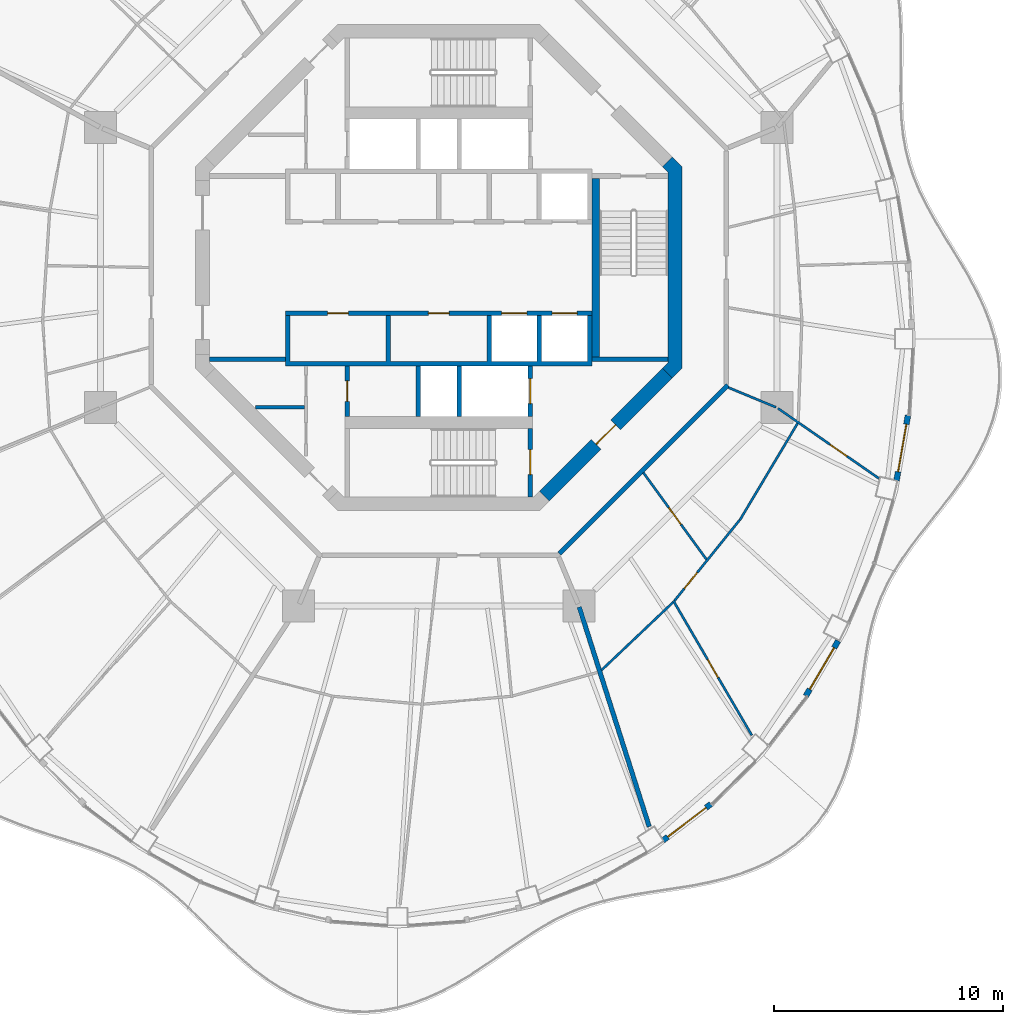
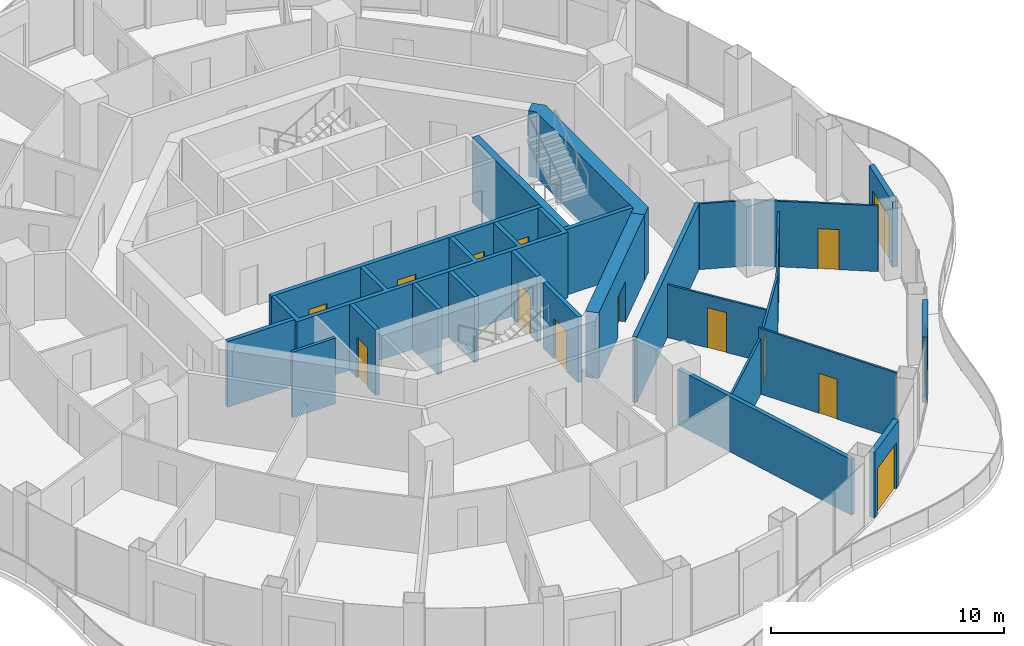
# One storey, part 11 of 17: 25 walls, 15 doors, 15 openings.
"""IFC4 building model written with IfcOpenShell, lengths in metres."""

from ifc_helpers import new_model, si_unit, direction, frame, frame_2d, origin, place, context, subcontext, project, spatial, polyline, rectangle, outline, extrude, material, layer, layer_set, type_object, element, fill, save


model = new_model("IFC4")

# Units and contexts
model_context = context("Model", 3, precision=1e-05, world=origin(), true_north=direction((0.0, 1.0)))
body_context = subcontext(model_context, "Body", "Model", "MODEL_VIEW")
ifc_project = project(units=[si_unit("LENGTHUNIT", "METRE"), si_unit("AREAUNIT", "SQUARE_METRE"), si_unit("VOLUMEUNIT", "CUBIC_METRE"), si_unit("PLANEANGLEUNIT", "RADIAN"), si_unit("MASSUNIT", "GRAM", prefix="KILO")], contexts=[model_context])

# Site, building, storey
site_placement = place(None, origin())
site = spatial("IfcSite", under=ifc_project, at=site_placement, CompositionType="ELEMENT")
building_placement = place(site_placement, origin())
building = spatial("IfcBuilding", under=site, at=building_placement, Name="Nagisa Residences", CompositionType="ELEMENT")
storey_placement = place(building_placement, frame((0.0, 0.0, 273.300048828125)))
storey = spatial("IfcBuildingStorey", under=building, at=storey_placement, Name="L69", CompositionType="ELEMENT", Elevation=273.300048828125)

# Walls
ifc_material_1 = material(Name="Gypsum board on steel studs", Category="steel")
ifc_layer_1 = layer(ifc_material_1, 0.199951171875)
ifc_layer_set_1 = layer_set([ifc_layer_1], Name="Apartment compartment wall EI60 200")
wall_type_1 = type_object("IfcWallType", Name="Apartment compartment wall EI60 200", PredefinedType="PARTITIONING", material=ifc_layer_set_1)
wall_1_placement = place(storey_placement, frame((6.13818359375, -14.82958984375, 0.0), z_axis=(0.0, 0.0, 1.0), x_axis=(0.303653679037, -0.952782474234, 0.0)))
element("IfcWall", 1, at=wall_1_placement, inside=storey, type_object=wall_type_1, Name="wall:L69:u09", PredefinedType="PARTITIONING", context=body_context, shape_type="SweptSolid", body=[
    extrude(rectangle(XDim=10.075927734375, YDim=0.199951171875, at=frame_2d((5.0380859375, 0.0))), origin(), (0.0, 0.0, 1.0), 2.905029296875),
])
ifc_material_2 = material(Name="Gypsum board on steel studs", Category="steel")
ifc_layer_2 = layer(ifc_material_2, 0.199951171875)
ifc_layer_set_2 = layer_set([ifc_layer_2], Name="Apartment entry wall EI60 200")
wall_type_2 = type_object("IfcWallType", Name="Apartment entry wall EI60 200", PredefinedType="PARTITIONING", material=ifc_layer_set_2)
wall_2_placement = place(storey_placement, frame((5.275146484375, -12.494140625, 0.0), z_axis=(0.0, 0.0, 1.0), x_axis=(0.707106781187, 0.707106781187, 0.0)))
element("IfcWall", 2, at=wall_2_placement, inside=storey, type_object=wall_type_2, Name="wall:L69:u17", PredefinedType="PARTITIONING", context=body_context, shape_type="SweptSolid", body=[
    extrude(rectangle(XDim=10.4091796875, YDim=0.199951171875, at=frame_2d((5.20458984375, 0.0))), origin(), (0.0, 0.0, 1.0), 3.43994140625),
])
ifc_material_3 = material(Name="Gypsum board on steel studs", Category="steel")
ifc_layer_3 = layer(ifc_material_3, 0.10009765625)
ifc_layer_set_3 = layer_set([ifc_layer_3], Name="Apartment partition 100")
wall_type_3 = type_object("IfcWallType", Name="Apartment partition 100", PredefinedType="PARTITIONING", material=ifc_layer_set_3)
wall_3_placement = place(storey_placement, frame((7.113037109375, -17.592041015625, 0.0), z_axis=(0.0, 0.0, 1.0), x_axis=(0.725433932329, 0.688291805723, 0.0)))
element("IfcWall", 3, at=wall_3_placement, inside=storey, type_object=wall_type_3, Name="wall:L69:u60", PredefinedType="PARTITIONING", context=body_context, shape_type="SweptSolid", body=[
    extrude(rectangle(XDim=4.305419921875, YDim=0.10009765625, at=frame_2d((2.15283203125, 0.0))), origin(), (0.0, 0.0, 1.0), 2.905029296875),
])

# Wall, opening, door
wall_4_placement = place(storey_placement, frame((10.24755859375, -14.551025390625, 0.0), z_axis=(0.0, 0.0, 1.0), x_axis=(0.503826483408, -0.86380488226, 0.0)))
wall_4 = element("IfcWall", 4, at=wall_4_placement, inside=storey, type_object=wall_type_3, Name="wall:L69:u61", PredefinedType="PARTITIONING", context=body_context, shape_type="SweptSolid", body=[
    extrude(rectangle(XDim=6.81591796875, YDim=0.10009765625, at=frame_2d((3.407958984375, 0.0))), origin(), (0.0, 0.0, 1.0), 3.43994140625),
])
opening_1_placement = place(wall_4_placement, frame((2.98291015625, 0.0, 0.0)))
opening_1 = element("IfcOpeningElement", 5, at=opening_1_placement, cuts=wall_4, Name="Opening L69-U39", PredefinedType="OPENING", context=body_context, shape_type="SweptSolid", body=[
    extrude(rectangle(XDim=0.89990234375, YDim=2.10009765625, at=frame_2d((0.449951171875, 1.050048828125))), frame((0.0, 0.06005859375, 0.0), z_axis=(0.0, -1.0, 0.0), x_axis=(1.0, 0.0, 0.0)), (0.0, 0.0, 1.0), 0.1201171875),
])
ifc_material_4 = material(Name="Timber door set", Category="wood")
door_type_1 = type_object("IfcDoorType", Name="Apartment door 900x2100", OperationType="NOTDEFINED", PredefinedType="DOOR", material=ifc_material_4)
door_1_placement = place(opening_1_placement, frame((0.89990234375, 0.0, 0.0), x_axis=(-1.0, 0.0, 0.0)))
door_1 = element("IfcDoor", 6, at=door_1_placement, inside=storey, type_object=door_type_1, Name="Door to master bedroom, Apartment 69E", OperationType="SINGLE_SWING_RIGHT", OverallHeight=2.10009765625, OverallWidth=0.89990234375, PredefinedType="DOOR", context=body_context, shape_type="SweptSolid", body=[
    extrude(rectangle(XDim=0.89990234375, YDim=2.10009765625, at=frame_2d((0.449951171875, 1.050048828125))), frame((0.0, 0.02490234375, 0.0), z_axis=(0.0, -1.0, 0.0), x_axis=(1.0, 0.0, 0.0)), (0.0, 0.0, 1.0), 0.050048828125),
])
fill(opening_1, door_1)

wall_5_placement = place(storey_placement, frame((10.303955078125, -14.555419921875, 0.0), z_axis=(0.0, 0.0, 1.0), x_axis=(0.628170338674, 0.778075848237, 0.0)))
wall_5 = element("IfcWall", 7, at=wall_5_placement, inside=storey, type_object=wall_type_3, Name="wall:L69:u62", PredefinedType="PARTITIONING", context=body_context, shape_type="SweptSolid", body=[
    extrude(rectangle(XDim=4.532470703125, YDim=0.10009765625, at=frame_2d((2.26611328125, 0.0))), origin(), (0.0, 0.0, 1.0), 2.905029296875),
])
opening_2_placement = place(wall_5_placement, frame((0.68310546875, 0.0, 0.0)))
opening_2 = element("IfcOpeningElement", 8, at=opening_2_placement, cuts=wall_5, Name="Opening L69-U37", PredefinedType="OPENING", context=body_context, shape_type="SweptSolid", body=[
    extrude(rectangle(XDim=0.89990234375, YDim=2.10009765625, at=frame_2d((0.449951171875, 1.050048828125))), frame((0.0, 0.06005859375, 0.0), z_axis=(0.0, -1.0, 0.0), x_axis=(1.0, 0.0, 0.0)), (0.0, 0.0, 1.0), 0.1201171875),
])
door_2_placement = place(opening_2_placement, origin())
door_2 = element("IfcDoor", 9, at=door_2_placement, inside=storey, type_object=door_type_1, Name="Door to laundry, Apartment 69E", OperationType="SINGLE_SWING_LEFT", OverallHeight=2.10009765625, OverallWidth=0.89990234375, PredefinedType="DOOR", context=body_context, shape_type="SweptSolid", body=[
    extrude(rectangle(XDim=0.89990234375, YDim=2.10009765625, at=frame_2d((0.449951171875, 1.050048828125))), frame((0.0, 0.02490234375, 0.0), z_axis=(0.0, -1.0, 0.0), x_axis=(1.0, 0.0, 0.0)), (0.0, 0.0, 1.0), 0.050048828125),
])
fill(opening_2, door_2)

wall_6_placement = place(storey_placement, frame((8.943359375, -8.965576171875, 0.0), z_axis=(0.0, 0.0, 1.0), x_axis=(0.588357698232, -0.808600778463, 0.0)))
wall_6 = element("IfcWall", 10, at=wall_6_placement, inside=storey, type_object=wall_type_3, Name="wall:L69:u63", PredefinedType="PARTITIONING", context=body_context, shape_type="SweptSolid", body=[
    extrude(rectangle(XDim=4.682373046875, YDim=0.10009765625, at=frame_2d((2.34130859375, 0.0))), origin(), (0.0, 0.0, 1.0), 2.761962890625),
])
opening_3_placement = place(wall_6_placement, frame((1.89111328125, 0.0, 0.0)))
opening_3 = element("IfcOpeningElement", 11, at=opening_3_placement, cuts=wall_6, Name="Opening L69-U38", PredefinedType="OPENING", context=body_context, shape_type="SweptSolid", body=[
    extrude(rectangle(XDim=0.89990234375, YDim=2.10009765625, at=frame_2d((0.449951171875, 1.050048828125))), frame((0.0, 0.06005859375, 0.0), z_axis=(0.0, -1.0, 0.0), x_axis=(1.0, 0.0, 0.0)), (0.0, 0.0, 1.0), 0.1201171875),
])
door_3_placement = place(opening_3_placement, origin())
door_3 = element("IfcDoor", 12, at=door_3_placement, inside=storey, type_object=door_type_1, Name="Door to store, Apartment 69E", OperationType="SINGLE_SWING_RIGHT", OverallHeight=2.10009765625, OverallWidth=0.89990234375, PredefinedType="DOOR", context=body_context, shape_type="SweptSolid", body=[
    extrude(rectangle(XDim=0.89990234375, YDim=2.10009765625, at=frame_2d((0.449951171875, 1.050048828125))), frame((0.0, 0.02490234375, 0.0), z_axis=(0.0, -1.0, 0.0), x_axis=(1.0, 0.0, 0.0)), (0.0, 0.0, 1.0), 0.050048828125),
])
fill(opening_3, door_3)

# Walls
wall_7_placement = place(storey_placement, frame((13.156982421875, -11.03271484375, 0.0), z_axis=(0.0, 0.0, 1.0), x_axis=(0.512736548388, 0.858545998737, 0.0)))
element("IfcWall", 13, at=wall_7_placement, inside=storey, type_object=wall_type_3, Name="wall:L69:u64", PredefinedType="PARTITIONING", context=body_context, shape_type="SweptSolid", body=[
    extrude(rectangle(XDim=4.921630859375, YDim=0.10009765625, at=frame_2d((2.4609375, 0.0))), origin(), (0.0, 0.0, 1.0), 2.905029296875),
])
wall_8_placement = place(storey_placement, frame((12.6572265625, -5.24267578125, 0.0), z_axis=(0.0, 0.0, 1.0), x_axis=(0.923864733477, -0.382719158442, 0.0)))
element("IfcWall", 14, at=wall_8_placement, inside=storey, type_object=wall_type_3, Name="wall:L69:u65", PredefinedType="PARTITIONING", context=body_context, shape_type="SweptSolid", body=[
    extrude(rectangle(XDim=2.25, YDim=0.10009765625, at=frame_2d((1.125, 0.0))), origin(), (0.0, 0.0, 1.0), 3.43994140625),
])

# Wall, opening, door
wall_9_placement = place(storey_placement, frame((14.8232421875, -6.1513671875, 0.0), z_axis=(0.0, 0.0, 1.0), x_axis=(0.821435065081, -0.570302054928, 0.0)))
wall_9 = element("IfcWall", 15, at=wall_9_placement, inside=storey, type_object=wall_type_3, Name="wall:L69:u66", PredefinedType="PARTITIONING", context=body_context, shape_type="SweptSolid", body=[
    extrude(rectangle(XDim=5.3681640625, YDim=0.10009765625, at=frame_2d((2.68408203125, 0.0))), origin(), (0.0, 0.0, 1.0), 3.43994140625),
])
opening_4_placement = place(wall_9_placement, frame((2.771484375, 0.0, 0.0)))
opening_4 = element("IfcOpeningElement", 16, at=opening_4_placement, cuts=wall_9, Name="Opening L69-U36", PredefinedType="OPENING", context=body_context, shape_type="SweptSolid", body=[
    extrude(rectangle(XDim=0.89990234375, YDim=2.10009765625, at=frame_2d((0.449951171875, 1.050048828125))), frame((0.0, 0.06005859375, 0.0), z_axis=(0.0, -1.0, 0.0), x_axis=(1.0, 0.0, 0.0)), (0.0, 0.0, 1.0), 0.1201171875),
])
door_4_placement = place(opening_4_placement, frame((0.89990234375, 0.0, 0.0), x_axis=(-1.0, 0.0, 0.0)))
door_4 = element("IfcDoor", 17, at=door_4_placement, inside=storey, type_object=door_type_1, Name="Door to living room, Apartment 69E", OperationType="SINGLE_SWING_LEFT", OverallHeight=2.10009765625, OverallWidth=0.89990234375, PredefinedType="DOOR", context=body_context, shape_type="SweptSolid", body=[
    extrude(rectangle(XDim=0.89990234375, YDim=2.10009765625, at=frame_2d((0.449951171875, 1.050048828125))), frame((0.0, 0.02490234375, 0.0), z_axis=(0.0, -1.0, 0.0), x_axis=(1.0, 0.0, 0.0)), (0.0, 0.0, 1.0), 0.050048828125),
])
fill(opening_4, door_4)

ifc_material_5 = material(Name="Precast concrete C40/50", Category="concrete")
ifc_layer_4 = layer(ifc_material_5, 0.25)
ifc_layer_set_4 = layer_set([ifc_layer_4], Name="BALCONY DOOR WALL 250")
wall_type_4 = type_object("IfcWallType", Name="BALCONY DOOR WALL 250", PredefinedType="SOLIDWALL", material=ifc_layer_set_4)
wall_10_placement = place(storey_placement, frame((11.89453125, -23.439208984375, 0.0), z_axis=(0.0, 0.0, 1.0), x_axis=(-0.796055284084, -0.605223912847, 0.0)))
wall_10 = element("IfcWall", 18, at=wall_10_placement, inside=storey, type_object=wall_type_4, Name="wall:L69:bay40", PredefinedType="SOLIDWALL", context=body_context, shape_type="SweptSolid", body=[
    extrude(rectangle(XDim=2.640625, YDim=0.25, at=frame_2d((1.3203125, 0.0))), origin(), (0.0, 0.0, 1.0), 3.43994140625),
])
opening_5_placement = place(wall_10_placement, frame((0.270263671875, 0.0, 0.0)))
opening_5 = element("IfcOpeningElement", 19, at=opening_5_placement, cuts=wall_10, Name="Opening BD-L69-14", PredefinedType="OPENING", context=body_context, shape_type="SweptSolid", body=[
    extrude(rectangle(XDim=2.10009765625, YDim=2.39990234375, at=frame_2d((1.050048828125, 1.199951171875))), frame((0.0, 0.135009765625, 0.0), z_axis=(0.0, -1.0, 0.0), x_axis=(1.0, 0.0, 0.0)), (0.0, 0.0, 1.0), 0.27001953125),
])
ifc_material_6 = material(Name="Aluminium and clear glass", Category="aluminium")
door_type_2 = type_object("IfcDoorType", Name="BALCONY SLIDING DOOR 2100x2400", OperationType="SLIDING_TO_LEFT", PredefinedType="DOOR", material=ifc_material_6)
door_5_placement = place(opening_5_placement, origin())
door_5 = element("IfcDoor", 20, at=door_5_placement, inside=storey, type_object=door_type_2, Name="door:L69:bay40", OperationType="SLIDING_TO_LEFT", OverallHeight=2.39990234375, OverallWidth=2.10009765625, PredefinedType="DOOR", context=body_context, shape_type="SweptSolid", body=[
    extrude(rectangle(XDim=2.10009765625, YDim=2.39990234375, at=frame_2d((1.050048828125, 1.199951171875))), frame((0.0, 0.02490234375, 0.0), z_axis=(0.0, -1.0, 0.0), x_axis=(1.0, 0.0, 0.0)), (0.0, 0.0, 1.0), 0.050048828125),
])
fill(opening_5, door_5)

wall_11_placement = place(storey_placement, frame((17.453857421875, -16.3125, 0.0), z_axis=(0.0, 0.0, 1.0), x_axis=(-0.506371364425, -0.862315511452, 0.0)))
wall_11 = element("IfcWall", 21, at=wall_11_placement, inside=storey, type_object=wall_type_4, Name="wall:L69:bay43", PredefinedType="SOLIDWALL", context=body_context, shape_type="SweptSolid", body=[
    extrude(rectangle(XDim=2.79638671875, YDim=0.25, at=frame_2d((1.398193359375, 0.0))), origin(), (0.0, 0.0, 1.0), 3.43994140625),
])
opening_6_placement = place(wall_11_placement, frame((0.34814453125, 0.0, 0.0)))
opening_6 = element("IfcOpeningElement", 22, at=opening_6_placement, cuts=wall_11, Name="Opening BD-L69-15", PredefinedType="OPENING", context=body_context, shape_type="SweptSolid", body=[
    extrude(rectangle(XDim=2.10009765625, YDim=2.39990234375, at=frame_2d((1.050048828125, 1.199951171875))), frame((0.0, 0.135009765625, 0.0), z_axis=(0.0, -1.0, 0.0), x_axis=(1.0, 0.0, 0.0)), (0.0, 0.0, 1.0), 0.27001953125),
])
door_6_placement = place(opening_6_placement, origin())
door_6 = element("IfcDoor", 23, at=door_6_placement, inside=storey, type_object=door_type_2, Name="door:L69:bay43", OperationType="SLIDING_TO_LEFT", OverallHeight=2.39990234375, OverallWidth=2.10009765625, PredefinedType="DOOR", context=body_context, shape_type="SweptSolid", body=[
    extrude(rectangle(XDim=2.10009765625, YDim=2.39990234375, at=frame_2d((1.050048828125, 1.199951171875))), frame((0.0, 0.02490234375, 0.0), z_axis=(0.0, -1.0, 0.0), x_axis=(1.0, 0.0, 0.0)), (0.0, 0.0, 1.0), 0.050048828125),
])
fill(opening_6, door_6)

wall_12_placement = place(storey_placement, frame((20.50341796875, -6.455810546875, 0.0), z_axis=(0.0, 0.0, 1.0), x_axis=(-0.172182411767, -0.985065082661, 0.0)))
wall_12 = element("IfcWall", 24, at=wall_12_placement, inside=storey, type_object=wall_type_4, Name="wall:L69:bay46", PredefinedType="SOLIDWALL", context=body_context, shape_type="SweptSolid", body=[
    extrude(rectangle(XDim=2.902587890625, YDim=0.25, at=frame_2d((1.451171875, 0.0))), origin(), (0.0, 0.0, 1.0), 3.43994140625),
])
opening_7_placement = place(wall_12_placement, frame((0.401123046875, 0.0, 0.0)))
opening_7 = element("IfcOpeningElement", 25, at=opening_7_placement, cuts=wall_12, Name="Opening BD-L69-16", PredefinedType="OPENING", context=body_context, shape_type="SweptSolid", body=[
    extrude(rectangle(XDim=2.10009765625, YDim=2.39990234375, at=frame_2d((1.050048828125, 1.199951171875))), frame((0.0, 0.135009765625, 0.0), z_axis=(0.0, -1.0, 0.0), x_axis=(1.0, 0.0, 0.0)), (0.0, 0.0, 1.0), 0.27001953125),
])
door_7_placement = place(opening_7_placement, origin())
door_7 = element("IfcDoor", 26, at=door_7_placement, inside=storey, type_object=door_type_2, Name="door:L69:bay46", OperationType="SLIDING_TO_LEFT", OverallHeight=2.39990234375, OverallWidth=2.10009765625, PredefinedType="DOOR", context=body_context, shape_type="SweptSolid", body=[
    extrude(rectangle(XDim=2.10009765625, YDim=2.39990234375, at=frame_2d((1.050048828125, 1.199951171875))), frame((0.0, 0.02490234375, 0.0), z_axis=(0.0, -1.0, 0.0), x_axis=(1.0, 0.0, 0.0)), (0.0, 0.0, 1.0), 0.050048828125),
])
fill(opening_7, door_7)

# Walls
ifc_material_7 = material(Name="Gypsum board on steel studs", Category="steel")
ifc_layer_5 = layer(ifc_material_7, 0.14990234375)
ifc_layer_set_5 = layer_set([ifc_layer_5], Name="Core partition 150")
wall_type_5 = type_object("IfcWallType", Name="Core partition 150", PredefinedType="PARTITIONING", material=ifc_layer_set_5)
wall_13_placement = place(storey_placement, frame((-8.0009765625, -6.10009765625, 0.0), z_axis=(0.0, 0.0, 1.0), x_axis=(1.0, 0.0, 0.0)))
element("IfcWall", 27, at=wall_13_placement, inside=storey, type_object=wall_type_5, Name="wall:L69:SWq", PredefinedType="PARTITIONING", context=body_context, shape_type="SweptSolid", body=[
    extrude(rectangle(XDim=2.1259765625, YDim=0.14990234375, at=frame_2d((1.06298828125, 0.0))), origin(), (0.0, 0.0, 1.0), 3.43994140625),
])
ifc_material_8 = material(Name="Gypsum board on steel studs", Category="steel")
ifc_layer_6 = layer(ifc_material_8, 0.199951171875)
ifc_layer_set_6 = layer_set([ifc_layer_6], Name="Core partition 200")
wall_type_6 = type_object("IfcWallType", Name="Core partition 200", PredefinedType="PARTITIONING", material=ifc_layer_set_6)
wall_14_placement = place(storey_placement, frame((-10.024658203125, -4.0, 0.0), z_axis=(0.0, 0.0, 1.0), x_axis=(1.0, 0.0, 0.0)))
element("IfcWall", 28, at=wall_14_placement, inside=storey, type_object=wall_type_6, Name="wall:L69:PSW", PredefinedType="PARTITIONING", context=body_context, shape_type="SweptSolid", body=[
    extrude(rectangle(XDim=3.32470703125, YDim=0.199951171875, at=frame_2d((1.662353515625, 0.0))), origin(), (0.0, 0.0, 1.0), 3.43994140625),
])

# Wall, opening, door
ifc_material_9 = material(Name="Concrete C60", Category="concrete")
ifc_layer_7 = layer(ifc_material_9, 0.60009765625)
ifc_layer_set_7 = layer_set([ifc_layer_7], Name="Core shear wall 600")
wall_type_7 = type_object("IfcWallType", Name="Core shear wall 600", PredefinedType="SHEAR", material=ifc_layer_set_7)
wall_15_placement = place(storey_placement, frame((4.613037109375, -9.98828125, 0.0), z_axis=(0.0, 0.0, 1.0), x_axis=(0.707106781187, 0.707106781187, 0.0)))
wall_15 = element("IfcWall", 29, at=wall_15_placement, inside=storey, type_object=wall_type_7, Name="wall:L69:core:flat7", PredefinedType="SHEAR", context=body_context, shape_type="SweptSolid", body=[
    extrude(rectangle(XDim=7.601806640625, YDim=0.60009765625, at=frame_2d((3.80078125, 0.0))), origin(), (0.0, 0.0, 1.0), 3.43994140625),
])
opening_8_placement = place(wall_15_placement, frame((3.200927734375, 0.0, 0.0)))
opening_8 = element("IfcOpeningElement", 30, at=opening_8_placement, cuts=wall_15, Name="Opening L69-C22", PredefinedType="OPENING", context=body_context, shape_type="SweptSolid", body=[
    extrude(rectangle(XDim=1.199951171875, YDim=2.10009765625, at=frame_2d((0.60009765625, 1.050048828125))), frame((0.0, 0.31005859375, 0.0), z_axis=(0.0, -1.0, 0.0), x_axis=(1.0, 0.0, 0.0)), (0.0, 0.0, 1.0), 0.6201171875),
])
ifc_material_10 = material(Name="Steel fire door", Category="steel")
door_type_3 = type_object("IfcDoorType", Name="Fire door EI60 1200x2100 single swing", OperationType="NOTDEFINED", PredefinedType="DOOR", material=ifc_material_10)
door_8_placement = place(opening_8_placement, origin())
door_8 = element("IfcDoor", 31, at=door_8_placement, inside=storey, type_object=door_type_3, Name="Firefighting lobby 2 door L69", OperationType="SINGLE_SWING_RIGHT", OverallHeight=2.10009765625, OverallWidth=1.199951171875, PredefinedType="DOOR", context=body_context, shape_type="SweptSolid", body=[
    extrude(rectangle(XDim=1.199951171875, YDim=2.10009765625, at=frame_2d((0.60009765625, 1.050048828125))), frame((0.0, 0.02490234375, 0.0), z_axis=(0.0, -1.0, 0.0), x_axis=(1.0, 0.0, 0.0)), (0.0, 0.0, 1.0), 0.050048828125),
])
fill(opening_8, door_8)

# Wall
wall_16_placement = place(storey_placement, origin())
element("IfcWall", 32, at=wall_16_placement, inside=storey, type_object=wall_type_7, Name="wall:L69:core:flat0", PredefinedType="SHEAR", context=body_context, shape_type="SweptSolid", body=[
    extrude(outline(polyline([(9.776123046875, -4.40087890625), (10.024658203125, -4.15234375), (10.024658203125, -3.801025390625), (10.024658203125, 4.15234375), (9.776123046875, 4.40087890625), (10.200439453125, 4.8251953125), (10.62451171875, 4.40087890625), (10.62451171875, -4.40087890625), (10.200439453125, -4.8251953125), (9.776123046875, -4.40087890625)])), origin(), (0.0, 0.0, 1.0), 3.43994140625),
])

# Wall, opening, door
ifc_material_11 = material(Name="Concrete C60", Category="concrete")
ifc_layer_8 = layer(ifc_material_11, 0.199951171875)
ifc_layer_set_8 = layer_set([ifc_layer_8], Name="Lift shaft wall 200")
wall_type_8 = type_object("IfcWallType", Name="Lift shaft wall 200", PredefinedType="SOLIDWALL", material=ifc_layer_set_8)
wall_17_placement = place(storey_placement, frame((4.0, -6.5, 0.0), z_axis=(0.0, 0.0, 1.0), x_axis=(0.0, 1.0, 0.0)))
wall_17 = element("IfcWall", 33, at=wall_17_placement, inside=storey, type_object=wall_type_8, Name="wall:L69:Sb3", PredefinedType="SOLIDWALL", context=body_context, shape_type="SweptSolid", body=[
    extrude(rectangle(XDim=2.199951171875, YDim=0.199951171875, at=frame_2d((1.10009765625, 0.0))), origin(), (0.0, 0.0, 1.0), 3.43994140625),
])
opening_9_placement = place(wall_17_placement, frame((0.550048828125, 0.0, 0.0)))
opening_9 = element("IfcOpeningElement", 34, at=opening_9_placement, cuts=wall_17, Name="Opening L69-C05", PredefinedType="OPENING", context=body_context, shape_type="SweptSolid", body=[
    extrude(rectangle(XDim=1.10009765625, YDim=2.10009765625, at=frame_2d((0.550048828125, 1.050048828125))), frame((0.0, 0.10986328125, 0.0), z_axis=(0.0, -1.0, 0.0), x_axis=(1.0, 0.0, 0.0)), (0.0, 0.0, 1.0), 0.219970703125),
])
ifc_material_12 = material(Name="Stainless steel", Category="steel")
door_type_4 = type_object("IfcDoorType", Name="Lift landing door 1100x2100", OperationType="DOUBLE_DOOR_SLIDING", PredefinedType="DOOR", material=ifc_material_12)
door_9_placement = place(opening_9_placement, origin())
door_9 = element("IfcDoor", 35, at=door_9_placement, inside=storey, type_object=door_type_4, Name="Landing door FL2 L69", OperationType="DOUBLE_DOOR_SLIDING", OverallHeight=2.10009765625, OverallWidth=1.10009765625, PredefinedType="DOOR", context=body_context, shape_type="SweptSolid", body=[
    extrude(rectangle(XDim=1.10009765625, YDim=2.10009765625, at=frame_2d((0.550048828125, 1.050048828125))), frame((0.0, 0.02490234375, 0.0), z_axis=(0.0, -1.0, 0.0), x_axis=(1.0, 0.0, 0.0)), (0.0, 0.0, 1.0), 0.050048828125),
])
fill(opening_9, door_9)

wall_18_placement = place(storey_placement, frame((-4.0, -6.5, 0.0), z_axis=(0.0, 0.0, 1.0), x_axis=(0.0, 1.0, 0.0)))
wall_18 = element("IfcWall", 36, at=wall_18_placement, inside=storey, type_object=wall_type_8, Name="wall:L69:Sb4", PredefinedType="SOLIDWALL", context=body_context, shape_type="SweptSolid", body=[
    extrude(rectangle(XDim=2.199951171875, YDim=0.199951171875, at=frame_2d((1.10009765625, 0.0))), origin(), (0.0, 0.0, 1.0), 3.43994140625),
])
opening_10_placement = place(wall_18_placement, frame((0.64990234375, 0.0, 0.0)))
opening_10 = element("IfcOpeningElement", 37, at=opening_10_placement, cuts=wall_18, Name="Opening L69-C14", PredefinedType="OPENING", context=body_context, shape_type="SweptSolid", body=[
    extrude(rectangle(XDim=0.89990234375, YDim=2.10009765625, at=frame_2d((0.449951171875, 1.050048828125))), frame((0.0, 0.10986328125, 0.0), z_axis=(0.0, -1.0, 0.0), x_axis=(1.0, 0.0, 0.0)), (0.0, 0.0, 1.0), 0.219970703125),
])
ifc_material_13 = material(Name="Steel fire door", Category="steel")
door_type_5 = type_object("IfcDoorType", Name="Fire door EI30 900x2100 single swing", OperationType="NOTDEFINED", PredefinedType="DOOR", material=ifc_material_13)
door_10_placement = place(opening_10_placement, frame((0.89990234375, 0.0, 0.0), x_axis=(-1.0, 0.0, 0.0)))
door_10 = element("IfcDoor", 38, at=door_10_placement, inside=storey, type_object=door_type_5, Name="Refuse room door L69", OperationType="SINGLE_SWING_RIGHT", OverallHeight=2.10009765625, OverallWidth=0.89990234375, PredefinedType="DOOR", context=body_context, shape_type="SweptSolid", body=[
    extrude(rectangle(XDim=0.89990234375, YDim=2.10009765625, at=frame_2d((0.449951171875, 1.050048828125))), frame((0.0, 0.02490234375, 0.0), z_axis=(0.0, -1.0, 0.0), x_axis=(1.0, 0.0, 0.0)), (0.0, 0.0, 1.0), 0.050048828125),
])
fill(opening_10, door_10)

# Wall, openings, doors
wall_19_placement = place(storey_placement, frame((-6.699951171875, -2.0, 0.0), z_axis=(0.0, 0.0, 1.0), x_axis=(1.0, 0.0, 0.0)))
wall_19 = element("IfcWall", 39, at=wall_19_placement, inside=storey, type_object=wall_type_8, Name="wall:L69:Sfront", PredefinedType="SOLIDWALL", context=body_context, shape_type="SweptSolid", body=[
    extrude(rectangle(XDim=13.39990234375, YDim=0.199951171875, at=frame_2d((6.699951171875, 0.0))), origin(), (0.0, 0.0, 1.0), 3.43994140625),
])
opening_11_placement = place(wall_19_placement, frame((9.449951171875, 0.0, 0.0)))
opening_11 = element("IfcOpeningElement", 40, at=opening_11_placement, cuts=wall_19, Name="Opening L69-C02", PredefinedType="OPENING", context=body_context, shape_type="SweptSolid", body=[
    extrude(rectangle(XDim=1.10009765625, YDim=2.10009765625, at=frame_2d((0.550048828125, 1.050048828125))), frame((0.0, 0.10986328125, 0.0), z_axis=(0.0, -1.0, 0.0), x_axis=(1.0, 0.0, 0.0)), (0.0, 0.0, 1.0), 0.219970703125),
])
opening_12_placement = place(wall_19_placement, frame((11.64990234375, 0.0, 0.0)))
opening_12 = element("IfcOpeningElement", 41, at=opening_12_placement, cuts=wall_19, Name="Opening L69-C03", PredefinedType="OPENING", context=body_context, shape_type="SweptSolid", body=[
    extrude(rectangle(XDim=1.10009765625, YDim=2.10009765625, at=frame_2d((0.550048828125, 1.050048828125))), frame((0.0, 0.10986328125, 0.0), z_axis=(0.0, -1.0, 0.0), x_axis=(1.0, 0.0, 0.0)), (0.0, 0.0, 1.0), 0.219970703125),
])
opening_13_placement = place(wall_19_placement, frame((1.85009765625, 0.0, 0.0)))
opening_13 = element("IfcOpeningElement", 42, at=opening_13_placement, cuts=wall_19, Name="Opening L69-C19", PredefinedType="OPENING", context=body_context, shape_type="SweptSolid", body=[
    extrude(rectangle(XDim=0.89990234375, YDim=2.10009765625, at=frame_2d((0.449951171875, 1.050048828125))), frame((0.0, 0.10986328125, 0.0), z_axis=(0.0, -1.0, 0.0), x_axis=(1.0, 0.0, 0.0)), (0.0, 0.0, 1.0), 0.219970703125),
])
opening_14_placement = place(wall_19_placement, frame((6.25, 0.0, 0.0)))
opening_14 = element("IfcOpeningElement", 43, at=opening_14_placement, cuts=wall_19, Name="Opening L69-C20", PredefinedType="OPENING", context=body_context, shape_type="SweptSolid", body=[
    extrude(rectangle(XDim=0.89990234375, YDim=2.10009765625, at=frame_2d((0.449951171875, 1.050048828125))), frame((0.0, 0.10986328125, 0.0), z_axis=(0.0, -1.0, 0.0), x_axis=(1.0, 0.0, 0.0)), (0.0, 0.0, 1.0), 0.219970703125),
])
door_11_placement = place(opening_13_placement, frame((0.89990234375, 0.0, 0.0), x_axis=(-1.0, 0.0, 0.0)))
door_11 = element("IfcDoor", 44, at=door_11_placement, inside=storey, type_object=door_type_5, Name="Tea preparation door L69", OperationType="SINGLE_SWING_RIGHT", OverallHeight=2.10009765625, OverallWidth=0.89990234375, PredefinedType="DOOR", context=body_context, shape_type="SweptSolid", body=[
    extrude(rectangle(XDim=0.89990234375, YDim=2.10009765625, at=frame_2d((0.449951171875, 1.050048828125))), frame((0.0, 0.02490234375, 0.0), z_axis=(0.0, -1.0, 0.0), x_axis=(1.0, 0.0, 0.0)), (0.0, 0.0, 1.0), 0.050048828125),
])
fill(opening_13, door_11)
door_12_placement = place(opening_14_placement, frame((0.89990234375, 0.0, 0.0), x_axis=(-1.0, 0.0, 0.0)))
door_12 = element("IfcDoor", 45, at=door_12_placement, inside=storey, type_object=door_type_5, Name="Housekeeping store door L69", OperationType="SINGLE_SWING_RIGHT", OverallHeight=2.10009765625, OverallWidth=0.89990234375, PredefinedType="DOOR", context=body_context, shape_type="SweptSolid", body=[
    extrude(rectangle(XDim=0.89990234375, YDim=2.10009765625, at=frame_2d((0.449951171875, 1.050048828125))), frame((0.0, 0.02490234375, 0.0), z_axis=(0.0, -1.0, 0.0), x_axis=(1.0, 0.0, 0.0)), (0.0, 0.0, 1.0), 0.050048828125),
])
fill(opening_14, door_12)
door_13_placement = place(opening_11_placement, origin())
door_13 = element("IfcDoor", 46, at=door_13_placement, inside=storey, type_object=door_type_4, Name="Landing door C2 L69", OperationType="DOUBLE_DOOR_SLIDING", OverallHeight=2.10009765625, OverallWidth=1.10009765625, PredefinedType="DOOR", context=body_context, shape_type="SweptSolid", body=[
    extrude(rectangle(XDim=1.10009765625, YDim=2.10009765625, at=frame_2d((0.550048828125, 1.050048828125))), frame((0.0, 0.02490234375, 0.0), z_axis=(0.0, -1.0, 0.0), x_axis=(1.0, 0.0, 0.0)), (0.0, 0.0, 1.0), 0.050048828125),
])
fill(opening_11, door_13)
door_14_placement = place(opening_12_placement, origin())
door_14 = element("IfcDoor", 47, at=door_14_placement, inside=storey, type_object=door_type_4, Name="Landing door C3 L69", OperationType="DOUBLE_DOOR_SLIDING", OverallHeight=2.10009765625, OverallWidth=1.10009765625, PredefinedType="DOOR", context=body_context, shape_type="SweptSolid", body=[
    extrude(rectangle(XDim=1.10009765625, YDim=2.10009765625, at=frame_2d((0.550048828125, 1.050048828125))), frame((0.0, 0.02490234375, 0.0), z_axis=(0.0, -1.0, 0.0), x_axis=(1.0, 0.0, 0.0)), (0.0, 0.0, 1.0), 0.050048828125),
])
fill(opening_12, door_14)

# Walls
for number, where, z_axis, x_axis, name in (
    (48, (-0.89990234375, -6.5, 0.0), (0.0, 0.0, 1.0), (0.0, 1.0, 0.0), "wall:L69:Sb1"),
    (49, (0.89990234375, -6.5, 0.0), (0.0, 0.0, 1.0), (0.0, 1.0, 0.0), "wall:L69:Sb2"),
):
    element("IfcWall", number, at=place(storey_placement, frame(where, z_axis=z_axis, x_axis=x_axis)), inside=storey, type_object=wall_type_8, Name=name, PredefinedType="SOLIDWALL", context=body_context, shape_type="SweptSolid", body=[
        extrude(rectangle(XDim=2.199951171875, YDim=0.199951171875, at=frame_2d((1.10009765625, 0.0))), origin(), (0.0, 0.0, 1.0), 3.43994140625),
    ])
wall_20_placement = place(storey_placement, origin())
element("IfcWall", 50, at=wall_20_placement, inside=storey, type_object=wall_type_8, Name="wall:L69:Sback", PredefinedType="SOLIDWALL", context=body_context, shape_type="SweptSolid", body=[
    extrude(outline(polyline([(-6.699951171875, -2.10009765625), (-6.5, -2.10009765625), (-6.5, -4.10009765625), (-2.300048828125, -4.10009765625), (-2.300048828125, -2.10009765625), (-2.10009765625, -2.10009765625), (-2.10009765625, -4.10009765625), (2.10009765625, -4.10009765625), (2.10009765625, -2.10009765625), (2.300048828125, -2.10009765625), (2.300048828125, -4.10009765625), (4.300048828125, -4.10009765625), (4.300048828125, -2.10009765625), (4.5, -2.10009765625), (4.5, -4.10009765625), (6.5, -4.10009765625), (6.5, -2.10009765625), (6.699951171875, -2.10009765625), (6.699951171875, -4.300048828125), (-6.699951171875, -4.300048828125), (-6.699951171875, -2.10009765625)])), origin(), (0.0, 0.0, 1.0), 3.43994140625),
])

# Wall, opening, door
ifc_material_14 = material(Name="Concrete C60", Category="concrete")
ifc_layer_9 = layer(ifc_material_14, 0.199951171875)
ifc_layer_set_9 = layer_set([ifc_layer_9], Name="Stair enclosure wall 200")
wall_type_9 = type_object("IfcWallType", Name="Stair enclosure wall 200", PredefinedType="SOLIDWALL", material=ifc_layer_set_9)
wall_21_placement = place(storey_placement, frame((4.0, -10.024658203125, 0.0), z_axis=(0.0, 0.0, 1.0), x_axis=(0.0, 1.0, 0.0)))
wall_21 = element("IfcWall", 51, at=wall_21_placement, inside=storey, type_object=wall_type_9, Name="wall:L69:SS_e", PredefinedType="SOLIDWALL", context=body_context, shape_type="SweptSolid", body=[
    extrude(rectangle(XDim=3.0, YDim=0.199951171875, at=frame_2d((1.5, 0.0))), origin(), (0.0, 0.0, 1.0), 3.43994140625),
])
opening_15_placement = place(wall_21_placement, frame((0.974609375, 0.0, 0.0)))
opening_15 = element("IfcOpeningElement", 52, at=opening_15_placement, cuts=wall_21, Name="Opening L69-C09", PredefinedType="OPENING", context=body_context, shape_type="SweptSolid", body=[
    extrude(rectangle(XDim=1.10009765625, YDim=2.10009765625, at=frame_2d((0.550048828125, 1.050048828125))), frame((0.0, 0.10986328125, 0.0), z_axis=(0.0, -1.0, 0.0), x_axis=(1.0, 0.0, 0.0)), (0.0, 0.0, 1.0), 0.219970703125),
])
ifc_material_15 = material(Name="Steel fire door", Category="steel")
door_type_6 = type_object("IfcDoorType", Name="Fire door EI90 1100x2100 single swing", OperationType="NOTDEFINED", PredefinedType="DOOR", material=ifc_material_15)
door_15_placement = place(opening_15_placement, origin())
door_15 = element("IfcDoor", 53, at=door_15_placement, inside=storey, type_object=door_type_6, Name="Stair door ST-S L69", OperationType="SINGLE_SWING_RIGHT", OverallHeight=2.10009765625, OverallWidth=1.10009765625, PredefinedType="DOOR", context=body_context, shape_type="SweptSolid", body=[
    extrude(rectangle(XDim=1.10009765625, YDim=2.10009765625, at=frame_2d((0.550048828125, 1.050048828125))), frame((0.0, 0.02490234375, 0.0), z_axis=(0.0, -1.0, 0.0), x_axis=(1.0, 0.0, 0.0)), (0.0, 0.0, 1.0), 0.050048828125),
])
fill(opening_15, door_15)

# Walls
wall_22_placement = place(storey_placement, origin())
element("IfcWall", 54, at=wall_22_placement, inside=storey, type_object=wall_type_9, Name="wall:L69:SE_w", PredefinedType="SOLIDWALL", context=body_context, shape_type="SweptSolid", body=[
    extrude(outline(polyline([(7.024658203125, -3.89990234375), (6.699951171875, -3.89990234375), (6.699951171875, 3.89990234375), (7.024658203125, 3.89990234375), (7.024658203125, -3.89990234375)])), origin(), (0.0, 0.0, 1.0), 3.43994140625),
])
wall_23_placement = place(storey_placement, origin())
element("IfcWall", 55, at=wall_23_placement, inside=storey, type_object=wall_type_9, Name="wall:L69:SE_s", PredefinedType="SOLIDWALL", context=body_context, shape_type="SweptSolid", body=[
    extrude(outline(polyline([(10.024658203125, -4.10009765625), (6.699951171875, -4.10009765625), (6.699951171875, -3.89990234375), (10.024658203125, -3.89990234375), (10.024658203125, -4.10009765625)])), origin(), (0.0, 0.0, 1.0), 3.43994140625),
])

save(model, "model.ifc")
